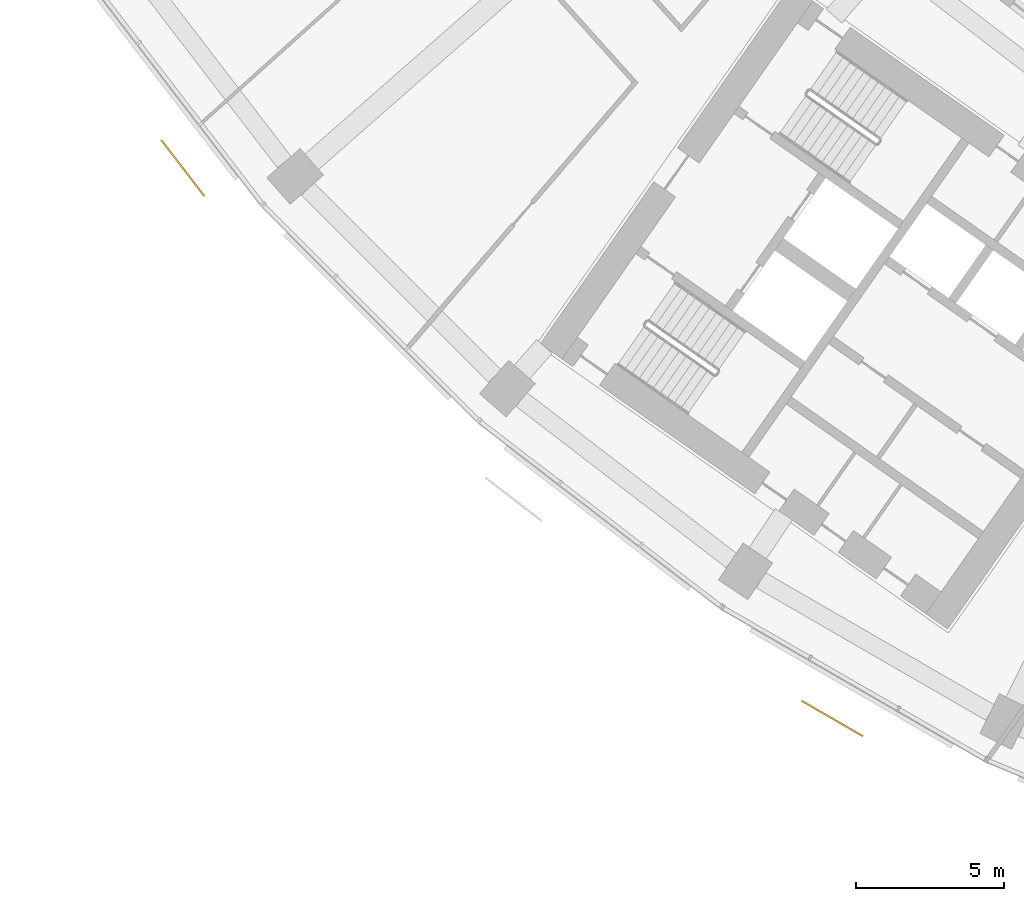
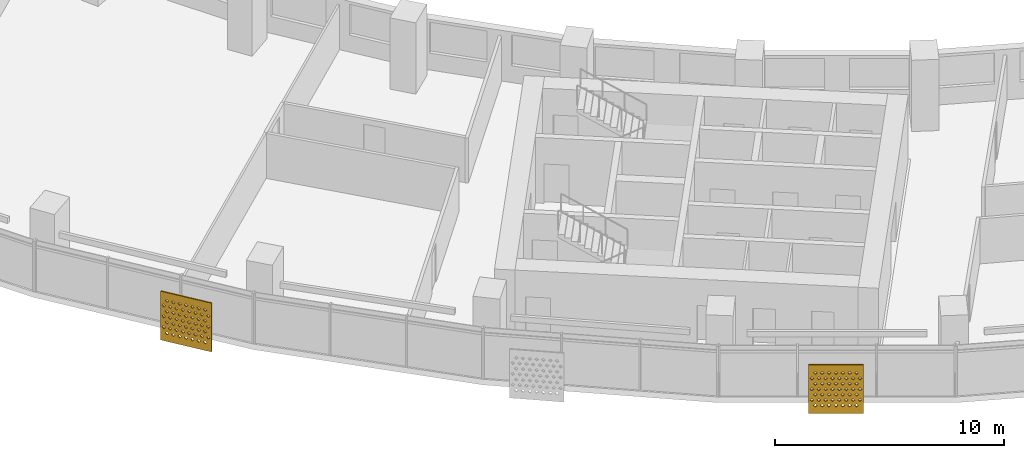
# One storey, part 22 of 29: 2 shading devices.
"""IFC4 building model written with IfcOpenShell, lengths in metres."""

from ifc_helpers import new_model, si_unit, direction, frame, origin, place, context, subcontext, project, spatial, polyline, outline, extrude, material, material_profile, profile_set, type_object, element, save


model = new_model("IFC4")

# Units and contexts
model_context = context("Model", 3, precision=1e-05, world=origin(), true_north=direction((0.0, 1.0)))
body_context = subcontext(model_context, "Body", "Model", "MODEL_VIEW")
ifc_project = project(units=[si_unit("LENGTHUNIT", "METRE"), si_unit("AREAUNIT", "SQUARE_METRE"), si_unit("VOLUMEUNIT", "CUBIC_METRE"), si_unit("PLANEANGLEUNIT", "RADIAN"), si_unit("MASSUNIT", "GRAM", prefix="KILO")], contexts=[model_context])

# Site, building, storey
site_placement = place(None, origin())
site = spatial("IfcSite", under=ifc_project, at=site_placement, CompositionType="ELEMENT")
building_placement = place(site_placement, origin())
building = spatial("IfcBuilding", under=site, at=building_placement, Name="Qamariyya Broadcast Tower", CompositionType="ELEMENT")
storey_placement = place(building_placement, frame((0.0, 0.0, 121.5)))
storey = spatial("IfcBuildingStorey", under=building, at=storey_placement, Name="L27", CompositionType="ELEMENT", Elevation=121.5)

# Shading devices
ifc_material = material(Name="Perforated glazed terracotta", Category="masonry")
ifc_material_profile = material_profile(ifc_material, outline(polyline([(-1.199951171875, -1.300048828125), (1.199951171875, -1.300048828125), (1.199951171875, 1.300048828125), (-1.199951171875, 1.300048828125), (-1.199951171875, -1.300048828125)]), holes=[polyline([(-0.81494140625, -0.86669921875), (-0.89990234375, -0.78173828125), (-0.985107421875, -0.86669921875), (-0.89990234375, -0.95166015625), (-0.81494140625, -0.86669921875)]), polyline([(-0.514892578125, -0.86669921875), (-0.60009765625, -0.78173828125), (-0.68505859375, -0.86669921875), (-0.60009765625, -0.95166015625), (-0.514892578125, -0.86669921875)]), polyline([(-0.215087890625, -0.86669921875), (-0.300048828125, -0.78173828125), (-0.385009765625, -0.86669921875), (-0.300048828125, -0.95166015625), (-0.215087890625, -0.86669921875)]), polyline([(0.0849609375, -0.86669921875), (0.0, -0.78173828125), (-0.0849609375, -0.86669921875), (0.0, -0.95166015625), (0.0849609375, -0.86669921875)]), polyline([(0.385009765625, -0.86669921875), (0.300048828125, -0.78173828125), (0.215087890625, -0.86669921875), (0.300048828125, -0.95166015625), (0.385009765625, -0.86669921875)]), polyline([(0.68505859375, -0.86669921875), (0.60009765625, -0.78173828125), (0.514892578125, -0.86669921875), (0.60009765625, -0.95166015625), (0.68505859375, -0.86669921875)]), polyline([(0.985107421875, -0.86669921875), (0.89990234375, -0.78173828125), (0.81494140625, -0.86669921875), (0.89990234375, -0.95166015625), (0.985107421875, -0.86669921875)]), polyline([(-0.965087890625, -0.577880859375), (-1.050048828125, -0.49267578125), (-1.135009765625, -0.577880859375), (-1.050048828125, -0.662841796875), (-0.965087890625, -0.577880859375)]), polyline([(-0.6650390625, -0.577880859375), (-0.75, -0.49267578125), (-0.8349609375, -0.577880859375), (-0.75, -0.662841796875), (-0.6650390625, -0.577880859375)]), polyline([(-0.364990234375, -0.577880859375), (-0.449951171875, -0.49267578125), (-0.534912109375, -0.577880859375), (-0.449951171875, -0.662841796875), (-0.364990234375, -0.577880859375)]), polyline([(-0.06494140625, -0.577880859375), (-0.14990234375, -0.49267578125), (-0.235107421875, -0.577880859375), (-0.14990234375, -0.662841796875), (-0.06494140625, -0.577880859375)]), polyline([(0.235107421875, -0.577880859375), (0.14990234375, -0.49267578125), (0.06494140625, -0.577880859375), (0.14990234375, -0.662841796875), (0.235107421875, -0.577880859375)]), polyline([(0.534912109375, -0.577880859375), (0.449951171875, -0.49267578125), (0.364990234375, -0.577880859375), (0.449951171875, -0.662841796875), (0.534912109375, -0.577880859375)]), polyline([(0.8349609375, -0.577880859375), (0.75, -0.49267578125), (0.6650390625, -0.577880859375), (0.75, -0.662841796875), (0.8349609375, -0.577880859375)]), polyline([(1.135009765625, -0.577880859375), (1.050048828125, -0.49267578125), (0.965087890625, -0.577880859375), (1.050048828125, -0.662841796875), (1.135009765625, -0.577880859375)]), polyline([(-0.81494140625, -0.288818359375), (-0.89990234375, -0.203857421875), (-0.985107421875, -0.288818359375), (-0.89990234375, -0.373779296875), (-0.81494140625, -0.288818359375)]), polyline([(-0.514892578125, -0.288818359375), (-0.60009765625, -0.203857421875), (-0.68505859375, -0.288818359375), (-0.60009765625, -0.373779296875), (-0.514892578125, -0.288818359375)]), polyline([(-0.215087890625, -0.288818359375), (-0.300048828125, -0.203857421875), (-0.385009765625, -0.288818359375), (-0.300048828125, -0.373779296875), (-0.215087890625, -0.288818359375)]), polyline([(0.0849609375, -0.288818359375), (0.0, -0.203857421875), (-0.0849609375, -0.288818359375), (0.0, -0.373779296875), (0.0849609375, -0.288818359375)]), polyline([(0.385009765625, -0.288818359375), (0.300048828125, -0.203857421875), (0.215087890625, -0.288818359375), (0.300048828125, -0.373779296875), (0.385009765625, -0.288818359375)]), polyline([(0.68505859375, -0.288818359375), (0.60009765625, -0.203857421875), (0.514892578125, -0.288818359375), (0.60009765625, -0.373779296875), (0.68505859375, -0.288818359375)]), polyline([(0.985107421875, -0.288818359375), (0.89990234375, -0.203857421875), (0.81494140625, -0.288818359375), (0.89990234375, -0.373779296875), (0.985107421875, -0.288818359375)]), polyline([(-0.965087890625, 0.0), (-1.050048828125, 0.0849609375), (-1.135009765625, 0.0), (-1.050048828125, -0.0849609375), (-0.965087890625, 0.0)]), polyline([(-0.6650390625, 0.0), (-0.75, 0.0849609375), (-0.8349609375, 0.0), (-0.75, -0.0849609375), (-0.6650390625, 0.0)]), polyline([(-0.364990234375, 0.0), (-0.449951171875, 0.0849609375), (-0.534912109375, 0.0), (-0.449951171875, -0.0849609375), (-0.364990234375, 0.0)]), polyline([(-0.06494140625, 0.0), (-0.14990234375, 0.0849609375), (-0.235107421875, 0.0), (-0.14990234375, -0.0849609375), (-0.06494140625, 0.0)]), polyline([(0.235107421875, 0.0), (0.14990234375, 0.0849609375), (0.06494140625, 0.0), (0.14990234375, -0.0849609375), (0.235107421875, 0.0)]), polyline([(0.534912109375, 0.0), (0.449951171875, 0.0849609375), (0.364990234375, 0.0), (0.449951171875, -0.0849609375), (0.534912109375, 0.0)]), polyline([(0.8349609375, 0.0), (0.75, 0.0849609375), (0.6650390625, 0.0), (0.75, -0.0849609375), (0.8349609375, 0.0)]), polyline([(1.135009765625, 0.0), (1.050048828125, 0.0849609375), (0.965087890625, 0.0), (1.050048828125, -0.0849609375), (1.135009765625, 0.0)]), polyline([(-0.81494140625, 0.288818359375), (-0.89990234375, 0.373779296875), (-0.985107421875, 0.288818359375), (-0.89990234375, 0.203857421875), (-0.81494140625, 0.288818359375)]), polyline([(-0.514892578125, 0.288818359375), (-0.60009765625, 0.373779296875), (-0.68505859375, 0.288818359375), (-0.60009765625, 0.203857421875), (-0.514892578125, 0.288818359375)]), polyline([(-0.215087890625, 0.288818359375), (-0.300048828125, 0.373779296875), (-0.385009765625, 0.288818359375), (-0.300048828125, 0.203857421875), (-0.215087890625, 0.288818359375)]), polyline([(0.0849609375, 0.288818359375), (0.0, 0.373779296875), (-0.0849609375, 0.288818359375), (0.0, 0.203857421875), (0.0849609375, 0.288818359375)]), polyline([(0.385009765625, 0.288818359375), (0.300048828125, 0.373779296875), (0.215087890625, 0.288818359375), (0.300048828125, 0.203857421875), (0.385009765625, 0.288818359375)]), polyline([(0.68505859375, 0.288818359375), (0.60009765625, 0.373779296875), (0.514892578125, 0.288818359375), (0.60009765625, 0.203857421875), (0.68505859375, 0.288818359375)]), polyline([(0.985107421875, 0.288818359375), (0.89990234375, 0.373779296875), (0.81494140625, 0.288818359375), (0.89990234375, 0.203857421875), (0.985107421875, 0.288818359375)]), polyline([(-0.965087890625, 0.577880859375), (-1.050048828125, 0.662841796875), (-1.135009765625, 0.577880859375), (-1.050048828125, 0.49267578125), (-0.965087890625, 0.577880859375)]), polyline([(-0.6650390625, 0.577880859375), (-0.75, 0.662841796875), (-0.8349609375, 0.577880859375), (-0.75, 0.49267578125), (-0.6650390625, 0.577880859375)]), polyline([(-0.364990234375, 0.577880859375), (-0.449951171875, 0.662841796875), (-0.534912109375, 0.577880859375), (-0.449951171875, 0.49267578125), (-0.364990234375, 0.577880859375)]), polyline([(-0.06494140625, 0.577880859375), (-0.14990234375, 0.662841796875), (-0.235107421875, 0.577880859375), (-0.14990234375, 0.49267578125), (-0.06494140625, 0.577880859375)]), polyline([(0.235107421875, 0.577880859375), (0.14990234375, 0.662841796875), (0.06494140625, 0.577880859375), (0.14990234375, 0.49267578125), (0.235107421875, 0.577880859375)]), polyline([(0.534912109375, 0.577880859375), (0.449951171875, 0.662841796875), (0.364990234375, 0.577880859375), (0.449951171875, 0.49267578125), (0.534912109375, 0.577880859375)]), polyline([(0.8349609375, 0.577880859375), (0.75, 0.662841796875), (0.6650390625, 0.577880859375), (0.75, 0.49267578125), (0.8349609375, 0.577880859375)]), polyline([(1.135009765625, 0.577880859375), (1.050048828125, 0.662841796875), (0.965087890625, 0.577880859375), (1.050048828125, 0.49267578125), (1.135009765625, 0.577880859375)]), polyline([(-0.81494140625, 0.86669921875), (-0.89990234375, 0.95166015625), (-0.985107421875, 0.86669921875), (-0.89990234375, 0.78173828125), (-0.81494140625, 0.86669921875)]), polyline([(-0.514892578125, 0.86669921875), (-0.60009765625, 0.95166015625), (-0.68505859375, 0.86669921875), (-0.60009765625, 0.78173828125), (-0.514892578125, 0.86669921875)]), polyline([(-0.215087890625, 0.86669921875), (-0.300048828125, 0.95166015625), (-0.385009765625, 0.86669921875), (-0.300048828125, 0.78173828125), (-0.215087890625, 0.86669921875)]), polyline([(0.0849609375, 0.86669921875), (0.0, 0.95166015625), (-0.0849609375, 0.86669921875), (0.0, 0.78173828125), (0.0849609375, 0.86669921875)]), polyline([(0.385009765625, 0.86669921875), (0.300048828125, 0.95166015625), (0.215087890625, 0.86669921875), (0.300048828125, 0.78173828125), (0.385009765625, 0.86669921875)]), polyline([(0.68505859375, 0.86669921875), (0.60009765625, 0.95166015625), (0.514892578125, 0.86669921875), (0.60009765625, 0.78173828125), (0.68505859375, 0.86669921875)]), polyline([(0.985107421875, 0.86669921875), (0.89990234375, 0.95166015625), (0.81494140625, 0.86669921875), (0.89990234375, 0.78173828125), (0.985107421875, 0.86669921875)])]))
ifc_profile_set = profile_set([ifc_material_profile], Name="Perforated glazed terracotta")
shading_device_type = type_object("IfcShadingDeviceType", Name="Perforated terracotta screen 2400 x 2600", PredefinedType="USERDEFINED", material=ifc_profile_set)
shading_device_1_placement = place(storey_placement, frame((-62.235595703125, -50.96484375, 1.35009765625), z_axis=(-0.792623989105, -0.60971076085, 0.0), x_axis=(0.60971076085, -0.792623989105, 0.0)))
element("IfcShadingDevice", 1, at=shading_device_1_placement, inside=storey, type_object=shading_device_type, Name="e-scr-L27-02-2", ObjectType="SCREEN", PredefinedType="USERDEFINED", context=body_context, shape_type="SweptSolid", body=[
    extrude(outline(polyline([(-1.199951171875, -1.300048828125), (1.199951171875, -1.300048828125), (1.199951171875, 1.300048828125), (-1.199951171875, 1.300048828125), (-1.199951171875, -1.300048828125)]), holes=[polyline([(-0.81494140625, -0.86669921875), (-0.89990234375, -0.78173828125), (-0.985107421875, -0.86669921875), (-0.89990234375, -0.95166015625), (-0.81494140625, -0.86669921875)]), polyline([(-0.514892578125, -0.86669921875), (-0.60009765625, -0.78173828125), (-0.68505859375, -0.86669921875), (-0.60009765625, -0.95166015625), (-0.514892578125, -0.86669921875)]), polyline([(-0.215087890625, -0.86669921875), (-0.300048828125, -0.78173828125), (-0.385009765625, -0.86669921875), (-0.300048828125, -0.95166015625), (-0.215087890625, -0.86669921875)]), polyline([(0.0849609375, -0.86669921875), (0.0, -0.78173828125), (-0.0849609375, -0.86669921875), (0.0, -0.95166015625), (0.0849609375, -0.86669921875)]), polyline([(0.385009765625, -0.86669921875), (0.300048828125, -0.78173828125), (0.215087890625, -0.86669921875), (0.300048828125, -0.95166015625), (0.385009765625, -0.86669921875)]), polyline([(0.68505859375, -0.86669921875), (0.60009765625, -0.78173828125), (0.514892578125, -0.86669921875), (0.60009765625, -0.95166015625), (0.68505859375, -0.86669921875)]), polyline([(0.985107421875, -0.86669921875), (0.89990234375, -0.78173828125), (0.81494140625, -0.86669921875), (0.89990234375, -0.95166015625), (0.985107421875, -0.86669921875)]), polyline([(-0.965087890625, -0.577880859375), (-1.050048828125, -0.49267578125), (-1.135009765625, -0.577880859375), (-1.050048828125, -0.662841796875), (-0.965087890625, -0.577880859375)]), polyline([(-0.6650390625, -0.577880859375), (-0.75, -0.49267578125), (-0.8349609375, -0.577880859375), (-0.75, -0.662841796875), (-0.6650390625, -0.577880859375)]), polyline([(-0.364990234375, -0.577880859375), (-0.449951171875, -0.49267578125), (-0.534912109375, -0.577880859375), (-0.449951171875, -0.662841796875), (-0.364990234375, -0.577880859375)]), polyline([(-0.06494140625, -0.577880859375), (-0.14990234375, -0.49267578125), (-0.235107421875, -0.577880859375), (-0.14990234375, -0.662841796875), (-0.06494140625, -0.577880859375)]), polyline([(0.235107421875, -0.577880859375), (0.14990234375, -0.49267578125), (0.06494140625, -0.577880859375), (0.14990234375, -0.662841796875), (0.235107421875, -0.577880859375)]), polyline([(0.534912109375, -0.577880859375), (0.449951171875, -0.49267578125), (0.364990234375, -0.577880859375), (0.449951171875, -0.662841796875), (0.534912109375, -0.577880859375)]), polyline([(0.8349609375, -0.577880859375), (0.75, -0.49267578125), (0.6650390625, -0.577880859375), (0.75, -0.662841796875), (0.8349609375, -0.577880859375)]), polyline([(1.135009765625, -0.577880859375), (1.050048828125, -0.49267578125), (0.965087890625, -0.577880859375), (1.050048828125, -0.662841796875), (1.135009765625, -0.577880859375)]), polyline([(-0.81494140625, -0.288818359375), (-0.89990234375, -0.203857421875), (-0.985107421875, -0.288818359375), (-0.89990234375, -0.373779296875), (-0.81494140625, -0.288818359375)]), polyline([(-0.514892578125, -0.288818359375), (-0.60009765625, -0.203857421875), (-0.68505859375, -0.288818359375), (-0.60009765625, -0.373779296875), (-0.514892578125, -0.288818359375)]), polyline([(-0.215087890625, -0.288818359375), (-0.300048828125, -0.203857421875), (-0.385009765625, -0.288818359375), (-0.300048828125, -0.373779296875), (-0.215087890625, -0.288818359375)]), polyline([(0.0849609375, -0.288818359375), (0.0, -0.203857421875), (-0.0849609375, -0.288818359375), (0.0, -0.373779296875), (0.0849609375, -0.288818359375)]), polyline([(0.385009765625, -0.288818359375), (0.300048828125, -0.203857421875), (0.215087890625, -0.288818359375), (0.300048828125, -0.373779296875), (0.385009765625, -0.288818359375)]), polyline([(0.68505859375, -0.288818359375), (0.60009765625, -0.203857421875), (0.514892578125, -0.288818359375), (0.60009765625, -0.373779296875), (0.68505859375, -0.288818359375)]), polyline([(0.985107421875, -0.288818359375), (0.89990234375, -0.203857421875), (0.81494140625, -0.288818359375), (0.89990234375, -0.373779296875), (0.985107421875, -0.288818359375)]), polyline([(-0.965087890625, 0.0), (-1.050048828125, 0.0849609375), (-1.135009765625, 0.0), (-1.050048828125, -0.0849609375), (-0.965087890625, 0.0)]), polyline([(-0.6650390625, 0.0), (-0.75, 0.0849609375), (-0.8349609375, 0.0), (-0.75, -0.0849609375), (-0.6650390625, 0.0)]), polyline([(-0.364990234375, 0.0), (-0.449951171875, 0.0849609375), (-0.534912109375, 0.0), (-0.449951171875, -0.0849609375), (-0.364990234375, 0.0)]), polyline([(-0.06494140625, 0.0), (-0.14990234375, 0.0849609375), (-0.235107421875, 0.0), (-0.14990234375, -0.0849609375), (-0.06494140625, 0.0)]), polyline([(0.235107421875, 0.0), (0.14990234375, 0.0849609375), (0.06494140625, 0.0), (0.14990234375, -0.0849609375), (0.235107421875, 0.0)]), polyline([(0.534912109375, 0.0), (0.449951171875, 0.0849609375), (0.364990234375, 0.0), (0.449951171875, -0.0849609375), (0.534912109375, 0.0)]), polyline([(0.8349609375, 0.0), (0.75, 0.0849609375), (0.6650390625, 0.0), (0.75, -0.0849609375), (0.8349609375, 0.0)]), polyline([(1.135009765625, 0.0), (1.050048828125, 0.0849609375), (0.965087890625, 0.0), (1.050048828125, -0.0849609375), (1.135009765625, 0.0)]), polyline([(-0.81494140625, 0.288818359375), (-0.89990234375, 0.373779296875), (-0.985107421875, 0.288818359375), (-0.89990234375, 0.203857421875), (-0.81494140625, 0.288818359375)]), polyline([(-0.514892578125, 0.288818359375), (-0.60009765625, 0.373779296875), (-0.68505859375, 0.288818359375), (-0.60009765625, 0.203857421875), (-0.514892578125, 0.288818359375)]), polyline([(-0.215087890625, 0.288818359375), (-0.300048828125, 0.373779296875), (-0.385009765625, 0.288818359375), (-0.300048828125, 0.203857421875), (-0.215087890625, 0.288818359375)]), polyline([(0.0849609375, 0.288818359375), (0.0, 0.373779296875), (-0.0849609375, 0.288818359375), (0.0, 0.203857421875), (0.0849609375, 0.288818359375)]), polyline([(0.385009765625, 0.288818359375), (0.300048828125, 0.373779296875), (0.215087890625, 0.288818359375), (0.300048828125, 0.203857421875), (0.385009765625, 0.288818359375)]), polyline([(0.68505859375, 0.288818359375), (0.60009765625, 0.373779296875), (0.514892578125, 0.288818359375), (0.60009765625, 0.203857421875), (0.68505859375, 0.288818359375)]), polyline([(0.985107421875, 0.288818359375), (0.89990234375, 0.373779296875), (0.81494140625, 0.288818359375), (0.89990234375, 0.203857421875), (0.985107421875, 0.288818359375)]), polyline([(-0.965087890625, 0.577880859375), (-1.050048828125, 0.662841796875), (-1.135009765625, 0.577880859375), (-1.050048828125, 0.49267578125), (-0.965087890625, 0.577880859375)]), polyline([(-0.6650390625, 0.577880859375), (-0.75, 0.662841796875), (-0.8349609375, 0.577880859375), (-0.75, 0.49267578125), (-0.6650390625, 0.577880859375)]), polyline([(-0.364990234375, 0.577880859375), (-0.449951171875, 0.662841796875), (-0.534912109375, 0.577880859375), (-0.449951171875, 0.49267578125), (-0.364990234375, 0.577880859375)]), polyline([(-0.06494140625, 0.577880859375), (-0.14990234375, 0.662841796875), (-0.235107421875, 0.577880859375), (-0.14990234375, 0.49267578125), (-0.06494140625, 0.577880859375)]), polyline([(0.235107421875, 0.577880859375), (0.14990234375, 0.662841796875), (0.06494140625, 0.577880859375), (0.14990234375, 0.49267578125), (0.235107421875, 0.577880859375)]), polyline([(0.534912109375, 0.577880859375), (0.449951171875, 0.662841796875), (0.364990234375, 0.577880859375), (0.449951171875, 0.49267578125), (0.534912109375, 0.577880859375)]), polyline([(0.8349609375, 0.577880859375), (0.75, 0.662841796875), (0.6650390625, 0.577880859375), (0.75, 0.49267578125), (0.8349609375, 0.577880859375)]), polyline([(1.135009765625, 0.577880859375), (1.050048828125, 0.662841796875), (0.965087890625, 0.577880859375), (1.050048828125, 0.49267578125), (1.135009765625, 0.577880859375)]), polyline([(-0.81494140625, 0.86669921875), (-0.89990234375, 0.95166015625), (-0.985107421875, 0.86669921875), (-0.89990234375, 0.78173828125), (-0.81494140625, 0.86669921875)]), polyline([(-0.514892578125, 0.86669921875), (-0.60009765625, 0.95166015625), (-0.68505859375, 0.86669921875), (-0.60009765625, 0.78173828125), (-0.514892578125, 0.86669921875)]), polyline([(-0.215087890625, 0.86669921875), (-0.300048828125, 0.95166015625), (-0.385009765625, 0.86669921875), (-0.300048828125, 0.78173828125), (-0.215087890625, 0.86669921875)]), polyline([(0.0849609375, 0.86669921875), (0.0, 0.95166015625), (-0.0849609375, 0.86669921875), (0.0, 0.78173828125), (0.0849609375, 0.86669921875)]), polyline([(0.385009765625, 0.86669921875), (0.300048828125, 0.95166015625), (0.215087890625, 0.86669921875), (0.300048828125, 0.78173828125), (0.385009765625, 0.86669921875)]), polyline([(0.68505859375, 0.86669921875), (0.60009765625, 0.95166015625), (0.514892578125, 0.86669921875), (0.60009765625, 0.78173828125), (0.68505859375, 0.86669921875)]), polyline([(0.985107421875, 0.86669921875), (0.89990234375, 0.95166015625), (0.81494140625, 0.86669921875), (0.89990234375, 0.78173828125), (0.985107421875, 0.86669921875)])]), origin(), (0.0, 0.0, 1.0), 0.06005859375),
])
shading_device_2_placement = place(storey_placement, frame((-40.240478515625, -69.605224609375, 1.35009765625), z_axis=(-0.500074377092, -0.865982457891, 0.0), x_axis=(0.865982457891, -0.500074377092, 0.0)))
element("IfcShadingDevice", 2, at=shading_device_2_placement, inside=storey, type_object=shading_device_type, Name="e-scr-L27-05-1", ObjectType="SCREEN", PredefinedType="USERDEFINED", context=body_context, shape_type="SweptSolid", body=[
    extrude(outline(polyline([(-1.199951171875, -1.300048828125), (1.199951171875, -1.300048828125), (1.199951171875, 1.300048828125), (-1.199951171875, 1.300048828125), (-1.199951171875, -1.300048828125)]), holes=[polyline([(-0.81494140625, -0.86669921875), (-0.89990234375, -0.78173828125), (-0.985107421875, -0.86669921875), (-0.89990234375, -0.95166015625), (-0.81494140625, -0.86669921875)]), polyline([(-0.514892578125, -0.86669921875), (-0.60009765625, -0.78173828125), (-0.68505859375, -0.86669921875), (-0.60009765625, -0.95166015625), (-0.514892578125, -0.86669921875)]), polyline([(-0.215087890625, -0.86669921875), (-0.300048828125, -0.78173828125), (-0.385009765625, -0.86669921875), (-0.300048828125, -0.95166015625), (-0.215087890625, -0.86669921875)]), polyline([(0.0849609375, -0.86669921875), (0.0, -0.78173828125), (-0.0849609375, -0.86669921875), (0.0, -0.95166015625), (0.0849609375, -0.86669921875)]), polyline([(0.385009765625, -0.86669921875), (0.300048828125, -0.78173828125), (0.215087890625, -0.86669921875), (0.300048828125, -0.95166015625), (0.385009765625, -0.86669921875)]), polyline([(0.68505859375, -0.86669921875), (0.60009765625, -0.78173828125), (0.514892578125, -0.86669921875), (0.60009765625, -0.95166015625), (0.68505859375, -0.86669921875)]), polyline([(0.985107421875, -0.86669921875), (0.89990234375, -0.78173828125), (0.81494140625, -0.86669921875), (0.89990234375, -0.95166015625), (0.985107421875, -0.86669921875)]), polyline([(-0.965087890625, -0.577880859375), (-1.050048828125, -0.49267578125), (-1.135009765625, -0.577880859375), (-1.050048828125, -0.662841796875), (-0.965087890625, -0.577880859375)]), polyline([(-0.6650390625, -0.577880859375), (-0.75, -0.49267578125), (-0.8349609375, -0.577880859375), (-0.75, -0.662841796875), (-0.6650390625, -0.577880859375)]), polyline([(-0.364990234375, -0.577880859375), (-0.449951171875, -0.49267578125), (-0.534912109375, -0.577880859375), (-0.449951171875, -0.662841796875), (-0.364990234375, -0.577880859375)]), polyline([(-0.06494140625, -0.577880859375), (-0.14990234375, -0.49267578125), (-0.235107421875, -0.577880859375), (-0.14990234375, -0.662841796875), (-0.06494140625, -0.577880859375)]), polyline([(0.235107421875, -0.577880859375), (0.14990234375, -0.49267578125), (0.06494140625, -0.577880859375), (0.14990234375, -0.662841796875), (0.235107421875, -0.577880859375)]), polyline([(0.534912109375, -0.577880859375), (0.449951171875, -0.49267578125), (0.364990234375, -0.577880859375), (0.449951171875, -0.662841796875), (0.534912109375, -0.577880859375)]), polyline([(0.8349609375, -0.577880859375), (0.75, -0.49267578125), (0.6650390625, -0.577880859375), (0.75, -0.662841796875), (0.8349609375, -0.577880859375)]), polyline([(1.135009765625, -0.577880859375), (1.050048828125, -0.49267578125), (0.965087890625, -0.577880859375), (1.050048828125, -0.662841796875), (1.135009765625, -0.577880859375)]), polyline([(-0.81494140625, -0.288818359375), (-0.89990234375, -0.203857421875), (-0.985107421875, -0.288818359375), (-0.89990234375, -0.373779296875), (-0.81494140625, -0.288818359375)]), polyline([(-0.514892578125, -0.288818359375), (-0.60009765625, -0.203857421875), (-0.68505859375, -0.288818359375), (-0.60009765625, -0.373779296875), (-0.514892578125, -0.288818359375)]), polyline([(-0.215087890625, -0.288818359375), (-0.300048828125, -0.203857421875), (-0.385009765625, -0.288818359375), (-0.300048828125, -0.373779296875), (-0.215087890625, -0.288818359375)]), polyline([(0.0849609375, -0.288818359375), (0.0, -0.203857421875), (-0.0849609375, -0.288818359375), (0.0, -0.373779296875), (0.0849609375, -0.288818359375)]), polyline([(0.385009765625, -0.288818359375), (0.300048828125, -0.203857421875), (0.215087890625, -0.288818359375), (0.300048828125, -0.373779296875), (0.385009765625, -0.288818359375)]), polyline([(0.68505859375, -0.288818359375), (0.60009765625, -0.203857421875), (0.514892578125, -0.288818359375), (0.60009765625, -0.373779296875), (0.68505859375, -0.288818359375)]), polyline([(0.985107421875, -0.288818359375), (0.89990234375, -0.203857421875), (0.81494140625, -0.288818359375), (0.89990234375, -0.373779296875), (0.985107421875, -0.288818359375)]), polyline([(-0.965087890625, 0.0), (-1.050048828125, 0.0849609375), (-1.135009765625, 0.0), (-1.050048828125, -0.0849609375), (-0.965087890625, 0.0)]), polyline([(-0.6650390625, 0.0), (-0.75, 0.0849609375), (-0.8349609375, 0.0), (-0.75, -0.0849609375), (-0.6650390625, 0.0)]), polyline([(-0.364990234375, 0.0), (-0.449951171875, 0.0849609375), (-0.534912109375, 0.0), (-0.449951171875, -0.0849609375), (-0.364990234375, 0.0)]), polyline([(-0.06494140625, 0.0), (-0.14990234375, 0.0849609375), (-0.235107421875, 0.0), (-0.14990234375, -0.0849609375), (-0.06494140625, 0.0)]), polyline([(0.235107421875, 0.0), (0.14990234375, 0.0849609375), (0.06494140625, 0.0), (0.14990234375, -0.0849609375), (0.235107421875, 0.0)]), polyline([(0.534912109375, 0.0), (0.449951171875, 0.0849609375), (0.364990234375, 0.0), (0.449951171875, -0.0849609375), (0.534912109375, 0.0)]), polyline([(0.8349609375, 0.0), (0.75, 0.0849609375), (0.6650390625, 0.0), (0.75, -0.0849609375), (0.8349609375, 0.0)]), polyline([(1.135009765625, 0.0), (1.050048828125, 0.0849609375), (0.965087890625, 0.0), (1.050048828125, -0.0849609375), (1.135009765625, 0.0)]), polyline([(-0.81494140625, 0.288818359375), (-0.89990234375, 0.373779296875), (-0.985107421875, 0.288818359375), (-0.89990234375, 0.203857421875), (-0.81494140625, 0.288818359375)]), polyline([(-0.514892578125, 0.288818359375), (-0.60009765625, 0.373779296875), (-0.68505859375, 0.288818359375), (-0.60009765625, 0.203857421875), (-0.514892578125, 0.288818359375)]), polyline([(-0.215087890625, 0.288818359375), (-0.300048828125, 0.373779296875), (-0.385009765625, 0.288818359375), (-0.300048828125, 0.203857421875), (-0.215087890625, 0.288818359375)]), polyline([(0.0849609375, 0.288818359375), (0.0, 0.373779296875), (-0.0849609375, 0.288818359375), (0.0, 0.203857421875), (0.0849609375, 0.288818359375)]), polyline([(0.385009765625, 0.288818359375), (0.300048828125, 0.373779296875), (0.215087890625, 0.288818359375), (0.300048828125, 0.203857421875), (0.385009765625, 0.288818359375)]), polyline([(0.68505859375, 0.288818359375), (0.60009765625, 0.373779296875), (0.514892578125, 0.288818359375), (0.60009765625, 0.203857421875), (0.68505859375, 0.288818359375)]), polyline([(0.985107421875, 0.288818359375), (0.89990234375, 0.373779296875), (0.81494140625, 0.288818359375), (0.89990234375, 0.203857421875), (0.985107421875, 0.288818359375)]), polyline([(-0.965087890625, 0.577880859375), (-1.050048828125, 0.662841796875), (-1.135009765625, 0.577880859375), (-1.050048828125, 0.49267578125), (-0.965087890625, 0.577880859375)]), polyline([(-0.6650390625, 0.577880859375), (-0.75, 0.662841796875), (-0.8349609375, 0.577880859375), (-0.75, 0.49267578125), (-0.6650390625, 0.577880859375)]), polyline([(-0.364990234375, 0.577880859375), (-0.449951171875, 0.662841796875), (-0.534912109375, 0.577880859375), (-0.449951171875, 0.49267578125), (-0.364990234375, 0.577880859375)]), polyline([(-0.06494140625, 0.577880859375), (-0.14990234375, 0.662841796875), (-0.235107421875, 0.577880859375), (-0.14990234375, 0.49267578125), (-0.06494140625, 0.577880859375)]), polyline([(0.235107421875, 0.577880859375), (0.14990234375, 0.662841796875), (0.06494140625, 0.577880859375), (0.14990234375, 0.49267578125), (0.235107421875, 0.577880859375)]), polyline([(0.534912109375, 0.577880859375), (0.449951171875, 0.662841796875), (0.364990234375, 0.577880859375), (0.449951171875, 0.49267578125), (0.534912109375, 0.577880859375)]), polyline([(0.8349609375, 0.577880859375), (0.75, 0.662841796875), (0.6650390625, 0.577880859375), (0.75, 0.49267578125), (0.8349609375, 0.577880859375)]), polyline([(1.135009765625, 0.577880859375), (1.050048828125, 0.662841796875), (0.965087890625, 0.577880859375), (1.050048828125, 0.49267578125), (1.135009765625, 0.577880859375)]), polyline([(-0.81494140625, 0.86669921875), (-0.89990234375, 0.95166015625), (-0.985107421875, 0.86669921875), (-0.89990234375, 0.78173828125), (-0.81494140625, 0.86669921875)]), polyline([(-0.514892578125, 0.86669921875), (-0.60009765625, 0.95166015625), (-0.68505859375, 0.86669921875), (-0.60009765625, 0.78173828125), (-0.514892578125, 0.86669921875)]), polyline([(-0.215087890625, 0.86669921875), (-0.300048828125, 0.95166015625), (-0.385009765625, 0.86669921875), (-0.300048828125, 0.78173828125), (-0.215087890625, 0.86669921875)]), polyline([(0.0849609375, 0.86669921875), (0.0, 0.95166015625), (-0.0849609375, 0.86669921875), (0.0, 0.78173828125), (0.0849609375, 0.86669921875)]), polyline([(0.385009765625, 0.86669921875), (0.300048828125, 0.95166015625), (0.215087890625, 0.86669921875), (0.300048828125, 0.78173828125), (0.385009765625, 0.86669921875)]), polyline([(0.68505859375, 0.86669921875), (0.60009765625, 0.95166015625), (0.514892578125, 0.86669921875), (0.60009765625, 0.78173828125), (0.68505859375, 0.86669921875)]), polyline([(0.985107421875, 0.86669921875), (0.89990234375, 0.95166015625), (0.81494140625, 0.86669921875), (0.89990234375, 0.78173828125), (0.985107421875, 0.86669921875)])]), origin(), (0.0, 0.0, 1.0), 0.06005859375),
])

save(model, "model.ifc")
